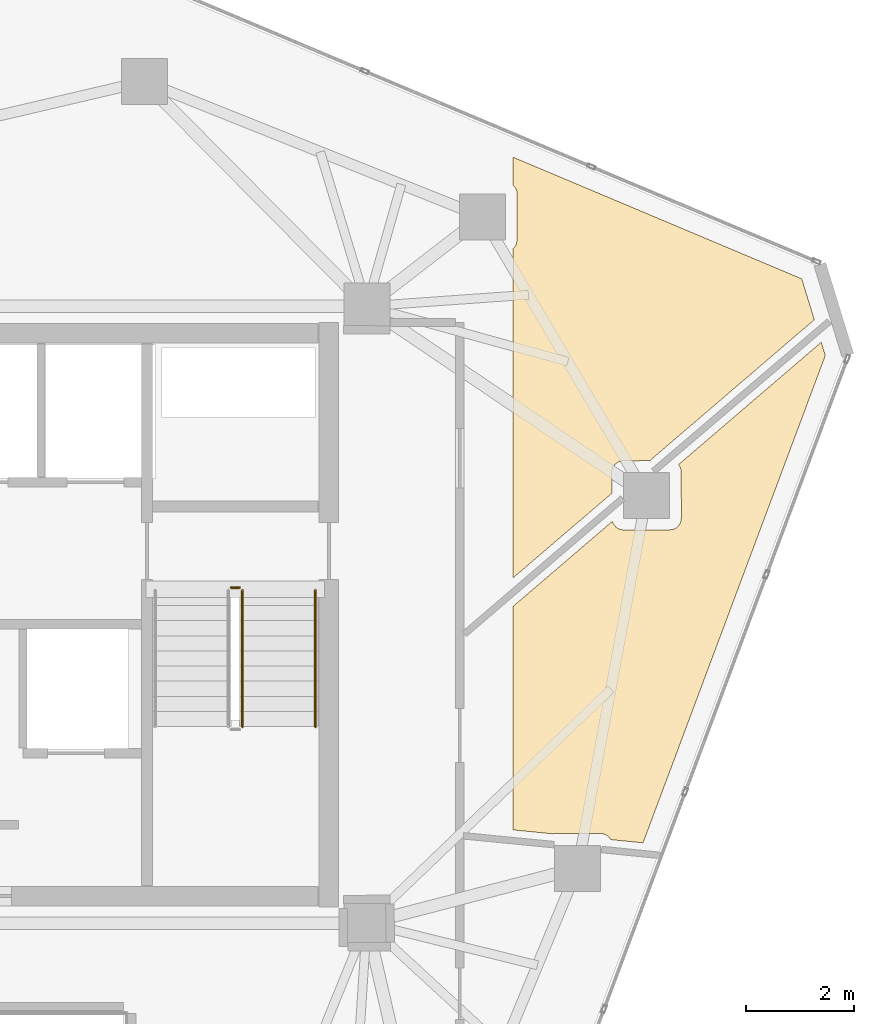
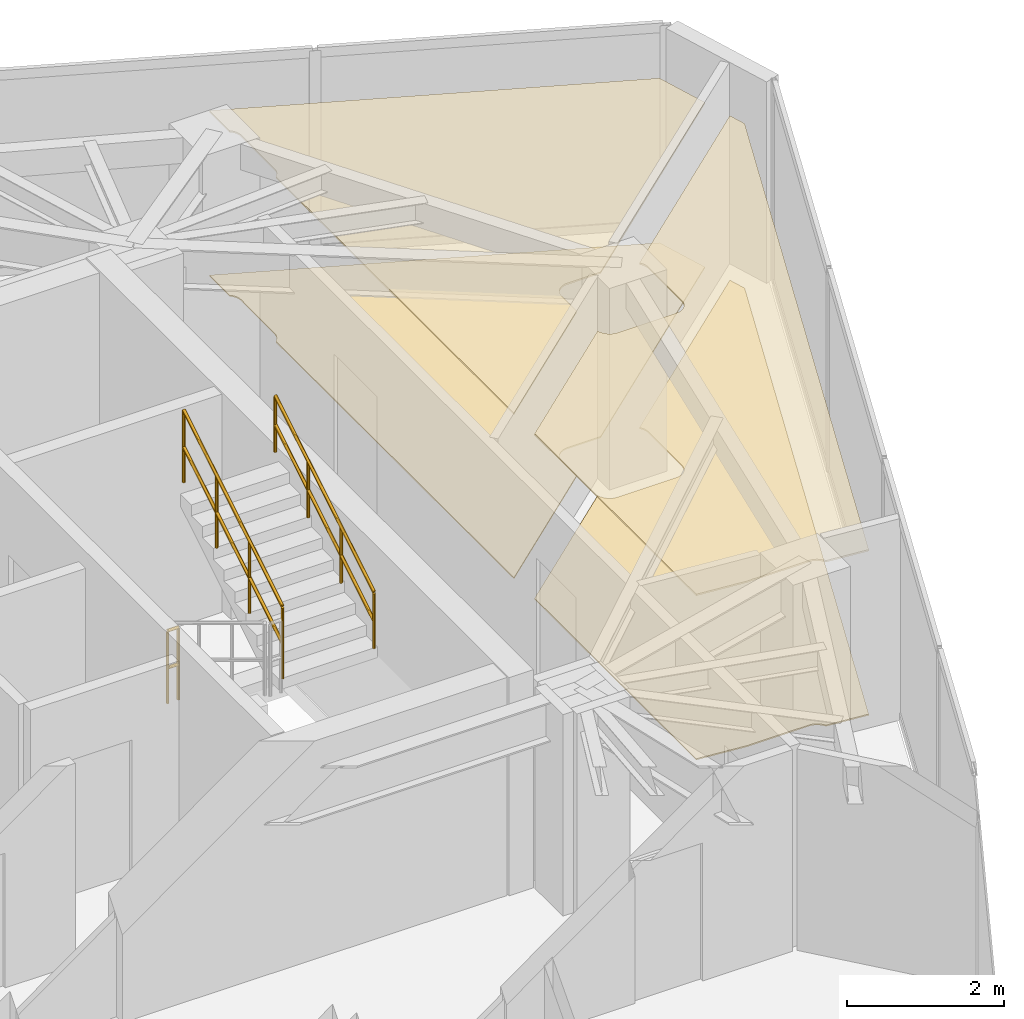
# One storey, part 20 of 20: 4 coverings, 3 railings.
"""IFC4 building model written with IfcOpenShell, lengths in metres."""

from ifc_helpers import new_model, si_unit, direction, frame, origin, origin_2d, place, context, subcontext, project, spatial, polyline, circle, outline, extrude, material, layer, layer_set, type_object, element, save


model = new_model("IFC4")

# Units and contexts
model_context = context("Model", 3, precision=1e-05, world=origin(), true_north=direction((0.0, 1.0)))
body_context = subcontext(model_context, "Body", "Model", "MODEL_VIEW")
ifc_project = project(units=[si_unit("LENGTHUNIT", "METRE"), si_unit("AREAUNIT", "SQUARE_METRE"), si_unit("VOLUMEUNIT", "CUBIC_METRE"), si_unit("PLANEANGLEUNIT", "RADIAN"), si_unit("MASSUNIT", "GRAM", prefix="KILO")], contexts=[model_context])

# Site, building, storey
site_placement = place(None, origin())
site = spatial("IfcSite", under=ifc_project, at=site_placement, CompositionType="ELEMENT")
building_placement = place(site_placement, origin())
building = spatial("IfcBuilding", under=site, at=building_placement, Name="Talar Marvaseh", CompositionType="ELEMENT")
storey_placement = place(building_placement, frame((0.0, 0.0, 268.0)))
storey = spatial("IfcBuildingStorey", under=building, at=storey_placement, Name="L71", CompositionType="ELEMENT", Elevation=268.0)

# Railings
ifc_material_1 = material(Name="Stainless Steel Grade 316", Category="steel")
railing_type_1 = type_object("IfcRailingType", Name="Brushed Stainless Wall Pitch Handrail 900", PredefinedType="HANDRAIL", material=ifc_material_1)
railing_1_placement = place(storey_placement, frame((32.35009765625, 29.1298828125, 1.8701171875)))
element("IfcRailing", 1, at=railing_1_placement, inside=storey, type_object=railing_type_1, Name="L71 ST-2 stair handrail 2", PredefinedType="HANDRAIL", context=body_context, shape_type="SweptSolid", body=[
    extrude(circle(Radius=0.02392578125, at=origin_2d()), frame((0.0, 0.0, 0.8759765625), z_axis=(0.0, 0.854821627497, 0.518921945155), x_axis=(-1.0, 0.0, 0.0)), (0.0, 0.0, 1.0), 2.947998046875),
    extrude(circle(Radius=0.02392578125, at=origin_2d()), frame((0.0, 0.0, 0.42578125), z_axis=(0.0, 0.854821627497, 0.518921945155), x_axis=(-1.0, 0.0, 0.0)), (0.0, 0.0, 1.0), 2.947998046875),
    extrude(circle(Radius=0.02099609375, at=origin_2d()), origin(), (0.0, 0.0, 1.0), 0.851806640625),
    extrude(circle(Radius=0.02099609375, at=origin_2d()), frame((0.0, 0.840087890625, 0.510009765625)), (0.0, 0.0, 1.0), 0.851806640625),
    extrude(circle(Radius=0.02099609375, at=origin_2d()), frame((0.0, 1.679931640625, 1.019775390625)), (0.0, 0.0, 1.0), 0.851806640625),
    extrude(circle(Radius=0.02099609375, at=origin_2d()), frame((0.0, 2.52001953125, 1.52978515625)), (0.0, 0.0, 1.0), 0.851806640625),
])
railing_type_2 = type_object("IfcRailingType", Name="Painted Steel Core Stair Well Guardrail 1150", PredefinedType="GUARDRAIL", material=ifc_material_1)
railing_2_placement = place(storey_placement, frame((31.0, 29.1298828125, 1.8701171875)))
element("IfcRailing", 2, at=railing_2_placement, inside=storey, type_object=railing_type_2, Name="L71 ST-2 stair guard 3", PredefinedType="GUARDRAIL", context=body_context, shape_type="SweptSolid", body=[
    extrude(circle(Radius=0.02392578125, at=origin_2d()), frame((0.0, 0.0, 1.1259765625), z_axis=(0.0, 0.854821627497, 0.518921945155), x_axis=(-1.0, 0.0, 0.0)), (0.0, 0.0, 1.0), 2.947998046875),
    extrude(circle(Radius=0.02392578125, at=origin_2d()), frame((0.0, 0.0, 0.55078125), z_axis=(0.0, 0.854821627497, 0.518921945155), x_axis=(-1.0, 0.0, 0.0)), (0.0, 0.0, 1.0), 2.947998046875),
    extrude(circle(Radius=0.02099609375, at=origin_2d()), origin(), (0.0, 0.0, 1.0), 1.101806640625),
    extrude(circle(Radius=0.02099609375, at=origin_2d()), frame((0.0, 0.840087890625, 0.510009765625)), (0.0, 0.0, 1.0), 1.101806640625),
    extrude(circle(Radius=0.02099609375, at=origin_2d()), frame((0.0, 1.679931640625, 1.019775390625)), (0.0, 0.0, 1.0), 1.101806640625),
    extrude(circle(Radius=0.02099609375, at=origin_2d()), frame((0.0, 2.52001953125, 1.52978515625)), (0.0, 0.0, 1.0), 1.101806640625),
])
railing_3_placement = place(storey_placement, frame((30.7900390625, 31.699951171875, 0.0)))
element("IfcRailing", 3, at=railing_3_placement, inside=storey, type_object=railing_type_2, Name="L71 ST-2 stair guard 4", PredefinedType="GUARDRAIL", context=body_context, shape_type="SweptSolid", body=[
    extrude(circle(Radius=0.02392578125, at=origin_2d()), frame((0.0, 0.0, 1.1259765625), z_axis=(1.0, 0.0, 0.0), x_axis=(0.0, 1.0, 0.0)), (0.0, 0.0, 1.0), 0.159912109375),
    extrude(circle(Radius=0.02392578125, at=origin_2d()), frame((0.0, 0.0, 0.55078125), z_axis=(1.0, 0.0, 0.0), x_axis=(0.0, 1.0, 0.0)), (0.0, 0.0, 1.0), 0.159912109375),
    extrude(circle(Radius=0.02099609375, at=origin_2d()), origin(), (0.0, 0.0, 1.0), 1.101806640625),
    extrude(circle(Radius=0.02099609375, at=origin_2d()), frame((0.159912109375, 0.0, 0.0)), (0.0, 0.0, 1.0), 1.101806640625),
])

# Coverings
ifc_material_2 = material(Name="Mineral Fibre Acoustic Ceiling")
ifc_layer_1 = layer(ifc_material_2, 0.02490234375)
ifc_layer_set_1 = layer_set([ifc_layer_1], Name="Mineral Fibre Acoustic Ceiling")
covering_type_1 = type_object("IfcCoveringType", Name="Perforated Mineral Fibre Acoustic Suspended Ceiling", PredefinedType="CEILING", material=ifc_layer_set_1)
covering_1_placement = place(storey_placement, frame((0.0, 0.0, 2.56005859375)))
element("IfcCovering", 4, at=covering_1_placement, inside=storey, type_object=covering_type_1, Name="L71 Archival Facsimile Boutique Acoustic Ceiling", PredefinedType="CEILING", context=body_context, shape_type="SweptSolid", body=[
    extrude(outline(polyline([(36.0, 31.350341796875), (37.8388671875, 32.92626953125), (37.839599609375, 32.9228515625), (37.84619140625, 32.904296875), (37.854736328125, 32.88671875), (37.86474609375, 32.869873046875), (37.8740234375, 32.85595703125), (37.8857421875, 32.840087890625), (37.89892578125, 32.825439453125), (37.91357421875, 32.812255859375), (37.929443359375, 32.800537109375), (37.9462890625, 32.79052734375), (37.964111328125, 32.7822265625), (37.982666015625, 32.775634765625), (38.001708984375, 32.77099609375), (38.021240234375, 32.76806640625), (38.040771484375, 32.76708984375), (38.906005859375, 32.769287109375), (38.926513671875, 32.7705078125), (38.94677734375, 32.773681640625), (38.96630859375, 32.77880859375), (38.985595703125, 32.7861328125), (39.00390625, 32.79541015625), (39.02099609375, 32.80615234375), (39.037109375, 32.81884765625), (39.052001953125, 32.8330078125), (39.06494140625, 32.848876953125), (39.076416015625, 32.86572265625), (39.086181640625, 32.8837890625), (39.091796875, 32.895263671875), (39.0986328125, 32.91162109375), (39.10400390625, 32.928466796875), (39.10791015625, 32.94580078125), (39.110107421875, 32.96337890625), (39.111083984375, 32.981201171875), (39.1103515625, 33.83544921875), (39.109619140625, 33.854248046875), (39.10693359375, 33.872802734375), (39.1025390625, 33.890869140625), (39.096435546875, 33.90869140625), (39.0888671875, 33.92578125), (39.07958984375, 33.94189453125), (39.06884765625, 33.957275390625), (39.0576171875, 33.970703125), (41.69775390625, 36.233642578125), (41.773193359375, 35.98779296875), (38.40478515625, 26.9833984375), (37.80859375, 27.042724609375), (37.80322265625, 27.0517578125), (37.79150390625, 27.0673828125), (37.7783203125, 27.081787109375), (37.764892578125, 27.09521484375), (37.75048828125, 27.1083984375), (37.734619140625, 27.1201171875), (37.7177734375, 27.13037109375), (37.699951171875, 27.138671875), (37.681640625, 27.145263671875), (37.66259765625, 27.150146484375), (37.64306640625, 27.15283203125), (37.62353515625, 27.15380859375), (36.77197265625, 27.154052734375), (36.750732421875, 27.15283203125), (36.732421875, 27.14990234375), (36.0, 27.222900390625), (36.0, 31.350341796875)])), origin(), (0.0, 0.0, 1.0), 0.02490234375),
])
covering_2_placement = place(storey_placement, frame((0.0, 0.0, 2.56005859375)))
element("IfcCovering", 5, at=covering_2_placement, inside=storey, type_object=covering_type_1, Name="L71 Gallery Security Control Room Acoustic Ceiling", PredefinedType="CEILING", context=body_context, shape_type="SweptSolid", body=[
    extrude(outline(polyline([(41.569580078125, 36.650634765625), (38.530029296875, 34.045654296875), (38.035400390625, 34.04248046875), (38.014892578125, 34.04150390625), (37.994873046875, 34.0380859375), (37.97509765625, 34.032958984375), (37.9560546875, 34.025634765625), (37.937744140625, 34.0166015625), (37.920654296875, 34.005615234375), (37.904541015625, 33.992919921875), (37.889892578125, 33.978759765625), (37.876953125, 33.963134765625), (37.865478515625, 33.9462890625), (37.855712890625, 33.92822265625), (37.850341796875, 33.916748046875), (37.843505859375, 33.900390625), (37.837890625, 33.883544921875), (37.833984375, 33.8662109375), (37.831787109375, 33.8486328125), (37.8310546875, 33.8310546875), (37.8310546875, 33.4462890625), (36.0, 31.877197265625), (36.0, 37.96044921875), (36.0, 37.96044921875), (36.0146484375, 37.9736328125), (36.02783203125, 37.988037109375), (36.03955078125, 38.00390625), (36.0498046875, 38.0205078125), (36.05810546875, 38.0380859375), (36.064697265625, 38.056640625), (36.069580078125, 38.075439453125), (36.072509765625, 38.094970703125), (36.073486328125, 38.114501953125), (36.077880859375, 38.9765625), (36.0771484375, 38.9951171875), (36.07470703125, 39.013671875), (36.0703125, 39.03173828125), (36.064453125, 39.049560546875), (36.056884765625, 39.066650390625), (36.0478515625, 39.0830078125), (36.037353515625, 39.09814453125), (36.025390625, 39.112548828125), (36.01220703125, 39.125732421875), (36.0, 39.13671875), (36.0, 39.65478515625), (41.337646484375, 37.406005859375), (41.569580078125, 36.650634765625)])), origin(), (0.0, 0.0, 1.0), 0.02490234375),
])
ifc_material_3 = material(Name="Porcelain Stoneware Tile", Category="masonry")
ifc_layer_2 = layer(ifc_material_3, 0.02001953125)
ifc_layer_set_2 = layer_set([ifc_layer_2], Name="Porcelain Stoneware Tile")
covering_type_2 = type_object("IfcCoveringType", Name="Polished Porcelain Stoneware Gallery Flooring", PredefinedType="FLOORING", material=ifc_layer_set_2)
covering_3_placement = place(storey_placement, origin())
element("IfcCovering", 6, at=covering_3_placement, inside=storey, type_object=covering_type_2, Name="L71 Archival Facsimile Boutique Flooring", PredefinedType="FLOORING", context=body_context, shape_type="SweptSolid", body=[
    extrude(outline(polyline([(36.0, 31.350341796875), (37.8388671875, 32.92626953125), (37.839599609375, 32.9228515625), (37.84619140625, 32.904296875), (37.854736328125, 32.88671875), (37.86474609375, 32.869873046875), (37.8740234375, 32.85595703125), (37.8857421875, 32.840087890625), (37.89892578125, 32.825439453125), (37.91357421875, 32.812255859375), (37.929443359375, 32.800537109375), (37.9462890625, 32.79052734375), (37.964111328125, 32.7822265625), (37.982666015625, 32.775634765625), (38.001708984375, 32.77099609375), (38.021240234375, 32.76806640625), (38.040771484375, 32.76708984375), (38.906005859375, 32.769287109375), (38.926513671875, 32.7705078125), (38.94677734375, 32.773681640625), (38.96630859375, 32.77880859375), (38.985595703125, 32.7861328125), (39.00390625, 32.79541015625), (39.02099609375, 32.80615234375), (39.037109375, 32.81884765625), (39.052001953125, 32.8330078125), (39.06494140625, 32.848876953125), (39.076416015625, 32.86572265625), (39.086181640625, 32.8837890625), (39.091796875, 32.895263671875), (39.0986328125, 32.91162109375), (39.10400390625, 32.928466796875), (39.10791015625, 32.94580078125), (39.110107421875, 32.96337890625), (39.111083984375, 32.981201171875), (39.1103515625, 33.83544921875), (39.109619140625, 33.854248046875), (39.10693359375, 33.872802734375), (39.1025390625, 33.890869140625), (39.096435546875, 33.90869140625), (39.0888671875, 33.92578125), (39.07958984375, 33.94189453125), (39.06884765625, 33.957275390625), (39.0576171875, 33.970703125), (41.69775390625, 36.233642578125), (41.773193359375, 35.98779296875), (38.40478515625, 26.9833984375), (37.80859375, 27.042724609375), (37.80322265625, 27.0517578125), (37.79150390625, 27.0673828125), (37.7783203125, 27.081787109375), (37.764892578125, 27.09521484375), (37.75048828125, 27.1083984375), (37.734619140625, 27.1201171875), (37.7177734375, 27.13037109375), (37.699951171875, 27.138671875), (37.681640625, 27.145263671875), (37.66259765625, 27.150146484375), (37.64306640625, 27.15283203125), (37.62353515625, 27.15380859375), (36.77197265625, 27.154052734375), (36.750732421875, 27.15283203125), (36.732421875, 27.14990234375), (36.0, 27.222900390625), (36.0, 31.350341796875)])), origin(), (0.0, 0.0, 1.0), 0.02001953125),
])
covering_4_placement = place(storey_placement, origin())
element("IfcCovering", 7, at=covering_4_placement, inside=storey, type_object=covering_type_2, Name="L71 Gallery Security Control Room Flooring", PredefinedType="FLOORING", context=body_context, shape_type="SweptSolid", body=[
    extrude(outline(polyline([(41.569580078125, 36.650634765625), (38.530029296875, 34.045654296875), (38.035400390625, 34.04248046875), (38.014892578125, 34.04150390625), (37.994873046875, 34.0380859375), (37.97509765625, 34.032958984375), (37.9560546875, 34.025634765625), (37.937744140625, 34.0166015625), (37.920654296875, 34.005615234375), (37.904541015625, 33.992919921875), (37.889892578125, 33.978759765625), (37.876953125, 33.963134765625), (37.865478515625, 33.9462890625), (37.855712890625, 33.92822265625), (37.850341796875, 33.916748046875), (37.843505859375, 33.900390625), (37.837890625, 33.883544921875), (37.833984375, 33.8662109375), (37.831787109375, 33.8486328125), (37.8310546875, 33.8310546875), (37.8310546875, 33.4462890625), (36.0, 31.877197265625), (36.0, 37.96044921875), (36.0, 37.96044921875), (36.0146484375, 37.9736328125), (36.02783203125, 37.988037109375), (36.03955078125, 38.00390625), (36.0498046875, 38.0205078125), (36.05810546875, 38.0380859375), (36.064697265625, 38.056640625), (36.069580078125, 38.075439453125), (36.072509765625, 38.094970703125), (36.073486328125, 38.114501953125), (36.077880859375, 38.9765625), (36.0771484375, 38.9951171875), (36.07470703125, 39.013671875), (36.0703125, 39.03173828125), (36.064453125, 39.049560546875), (36.056884765625, 39.066650390625), (36.0478515625, 39.0830078125), (36.037353515625, 39.09814453125), (36.025390625, 39.112548828125), (36.01220703125, 39.125732421875), (36.0, 39.13671875), (36.0, 39.65478515625), (41.337646484375, 37.406005859375), (41.569580078125, 36.650634765625)])), origin(), (0.0, 0.0, 1.0), 0.02001953125),
])

save(model, "model.ifc")
